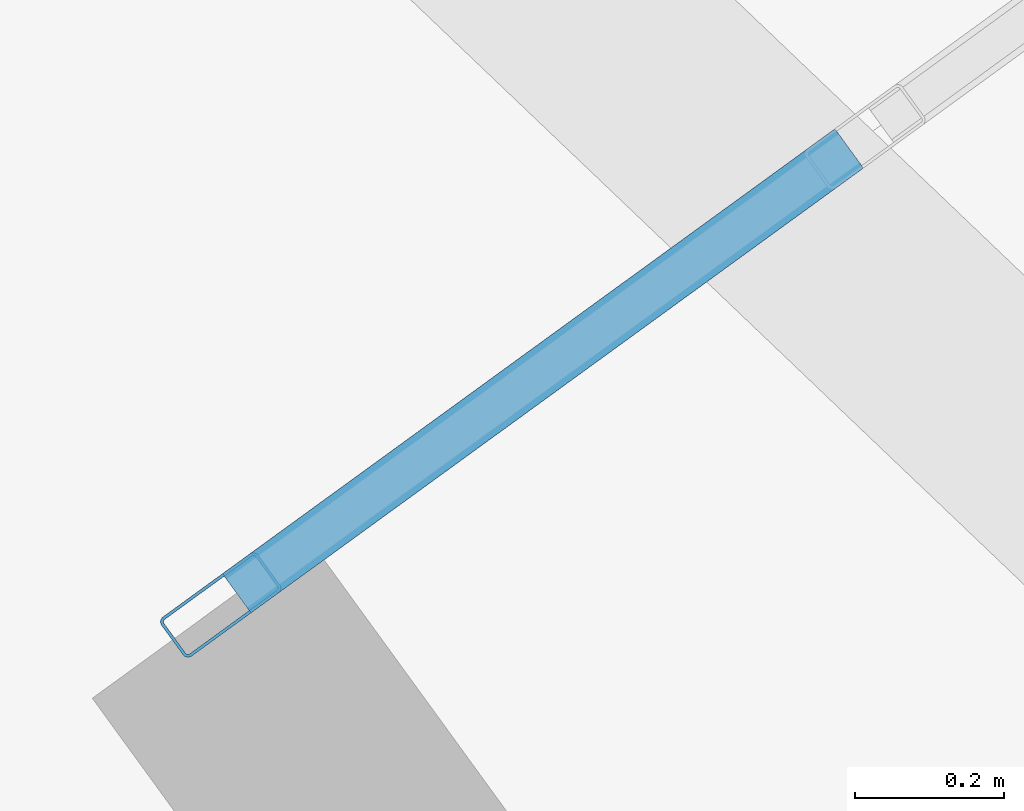
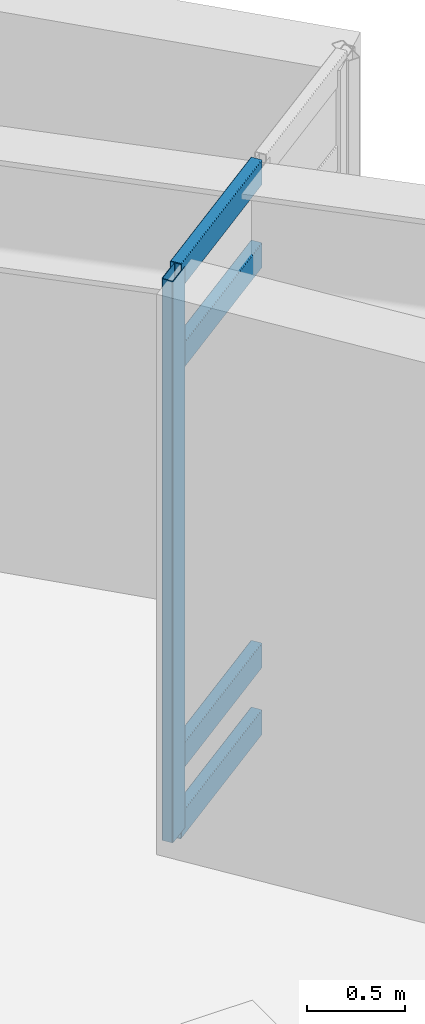
# One storey, part 2 of 15: 5 members, 1 element without a shape of its own.
"""IFC4 building model written with IfcOpenShell, lengths in metres."""

from ifc_helpers import new_model, si_unit, direction, frame, origin, origin_2d, place, context, subcontext, project, spatial, hollow_rectangle, extrude, material, layer, layer_set, material_profile, profile_set, type_object, element, aggregate, save


model = new_model("IFC4")

# Units and contexts
model_context = context("Model", 3, precision=1e-05, world=origin(), true_north=direction((0.0, 1.0)))
body_context = subcontext(model_context, "Body", "Model", "MODEL_VIEW")
ifc_project = project(units=[si_unit("LENGTHUNIT", "METRE"), si_unit("AREAUNIT", "SQUARE_METRE"), si_unit("VOLUMEUNIT", "CUBIC_METRE"), si_unit("PLANEANGLEUNIT", "RADIAN"), si_unit("MASSUNIT", "GRAM", prefix="KILO")], contexts=[model_context])

# Site, building, storey
site_placement = place(None, origin())
site = spatial("IfcSite", under=ifc_project, at=site_placement, CompositionType="ELEMENT")
building_placement = place(site_placement, origin())
building = spatial("IfcBuilding", under=site, at=building_placement, Name="Ndelora Gate Hotel", CompositionType="ELEMENT")
storey_placement = place(building_placement, frame((0.0, 0.0, 56.75)))
storey = spatial("IfcBuildingStorey", under=building, at=storey_placement, Name="L13", CompositionType="ELEMENT", Elevation=56.75)

# Curtain wall, members
ifc_material_1 = material(Name="Bronze Anodised Unitised Aluminium and Low-E Glass", Category="aluminium")
ifc_layer = layer(ifc_material_1, 0.199951171875)
ifc_layer_set = layer_set([ifc_layer], Name="Bronze Anodised Unitised Aluminium and Low-E Glass")
curtain_wall_type = type_object("IfcCurtainWallType", Name="CW-SYS-3", PredefinedType="NOTDEFINED", material=ifc_layer_set)
curtain_wall_placement = place(storey_placement, origin())
curtain_wall = element("IfcCurtainWall", 1, at=curtain_wall_placement, inside=storey, type_object=curtain_wall_type, Name="L13 Sky-Garden Loggia Side Curtain Wall CW3-2", PredefinedType="NOTDEFINED")
ifc_material_2 = material(Name="Bronze Anodised Aluminium 6063-T6", Category="aluminium")
ifc_material_profile_1 = material_profile(ifc_material_2, hollow_rectangle(XDim=0.06494140625, YDim=0.159912109375, WallThickness=0.00390625, InnerFilletRadius=0.00390625, OuterFilletRadius=0.008056640625, at=origin_2d()), Name="ALU 160x65x4")
ifc_profile_set_1 = profile_set([ifc_material_profile_1], Name="Bronze Anodised Aluminium 6063-T6")
member_type_1 = type_object("IfcMemberType", Name="MB-CW-MUL150", PredefinedType="MULLION", material=ifc_profile_set_1)
member_1_placement = place(storey_placement, frame((9.510986328125, 13.337646484375, -0.00390625), z_axis=(0.0, 0.0, 1.0), x_axis=(0.587785135859, -0.809017078969, 0.0)))
member_1 = element("IfcMember", 2, at=member_1_placement, type_object=member_type_1, Name="CW3 mullion 3", PredefinedType="MULLION", context=body_context, shape_type="SweptSolid", body=[
    extrude(hollow_rectangle(XDim=0.06494140625, YDim=0.159912109375, WallThickness=0.00390625, InnerFilletRadius=0.00390625, OuterFilletRadius=0.008056640625, at=origin_2d()), origin(), (0.0, 0.0, 1.0), 3.5078125),
])
ifc_material_profile_2 = material_profile(ifc_material_2, hollow_rectangle(XDim=0.06494140625, YDim=0.159912109375, WallThickness=0.00390625, InnerFilletRadius=0.00390625, OuterFilletRadius=0.008056640625, at=origin_2d()), Name="ALU 160x65x4")
ifc_profile_set_2 = profile_set([ifc_material_profile_2], Name="Bronze Anodised Aluminium 6063-T6")
member_type_2 = type_object("IfcMemberType", Name="MB-CW-TRN150", PredefinedType="USERDEFINED", material=ifc_profile_set_2)
member_2_placement = place(storey_placement, frame((10.353271484375, 13.949462890625, 0.032470703125), z_axis=(-0.809089769205, -0.58768507329, 0.0), x_axis=(0.58768507329, -0.809089769205, 0.0)))
member_2 = element("IfcMember", 3, at=member_2_placement, type_object=member_type_2, Name="CW3 transom 2.1", ObjectType="TRANSOM", PredefinedType="USERDEFINED", context=body_context, shape_type="SweptSolid", body=[
    extrude(hollow_rectangle(XDim=0.06494140625, YDim=0.159912109375, WallThickness=0.00390625, InnerFilletRadius=0.00390625, OuterFilletRadius=0.008056640625, at=origin_2d()), origin(), (0.0, 0.0, 1.0), 1.014404296875),
])
member_3_placement = place(storey_placement, frame((10.353271484375, 13.949462890625, 0.449951171875), z_axis=(-0.809089769205, -0.58768507329, 0.0), x_axis=(0.58768507329, -0.809089769205, 0.0)))
member_3 = element("IfcMember", 4, at=member_3_placement, type_object=member_type_2, Name="CW3 transom 2.2", ObjectType="TRANSOM", PredefinedType="USERDEFINED", context=body_context, shape_type="SweptSolid", body=[
    extrude(hollow_rectangle(XDim=0.06494140625, YDim=0.159912109375, WallThickness=0.00390625, InnerFilletRadius=0.00390625, OuterFilletRadius=0.008056640625, at=origin_2d()), origin(), (0.0, 0.0, 1.0), 1.014404296875),
])
member_4_placement = place(storey_placement, frame((10.353271484375, 13.949462890625, 2.949951171875), z_axis=(-0.809089769205, -0.58768507329, 0.0), x_axis=(0.58768507329, -0.809089769205, 0.0)))
member_4 = element("IfcMember", 5, at=member_4_placement, type_object=member_type_2, Name="CW3 transom 2.3", ObjectType="TRANSOM", PredefinedType="USERDEFINED", context=body_context, shape_type="SweptSolid", body=[
    extrude(hollow_rectangle(XDim=0.06494140625, YDim=0.159912109375, WallThickness=0.00390625, InnerFilletRadius=0.00390625, OuterFilletRadius=0.008056640625, at=origin_2d()), origin(), (0.0, 0.0, 1.0), 1.014404296875),
])
member_5_placement = place(storey_placement, frame((10.353271484375, 13.949462890625, 3.467529296875), z_axis=(-0.809089769205, -0.58768507329, 0.0), x_axis=(0.58768507329, -0.809089769205, 0.0)))
member_5 = element("IfcMember", 6, at=member_5_placement, type_object=member_type_2, Name="CW3 transom 2.4", ObjectType="TRANSOM", PredefinedType="USERDEFINED", context=body_context, shape_type="SweptSolid", body=[
    extrude(hollow_rectangle(XDim=0.06494140625, YDim=0.159912109375, WallThickness=0.00390625, InnerFilletRadius=0.00390625, OuterFilletRadius=0.008056640625, at=origin_2d()), origin(), (0.0, 0.0, 1.0), 1.014404296875),
])
aggregate(curtain_wall, [member_1, member_2, member_3, member_4, member_5])

save(model, "model.ifc")
